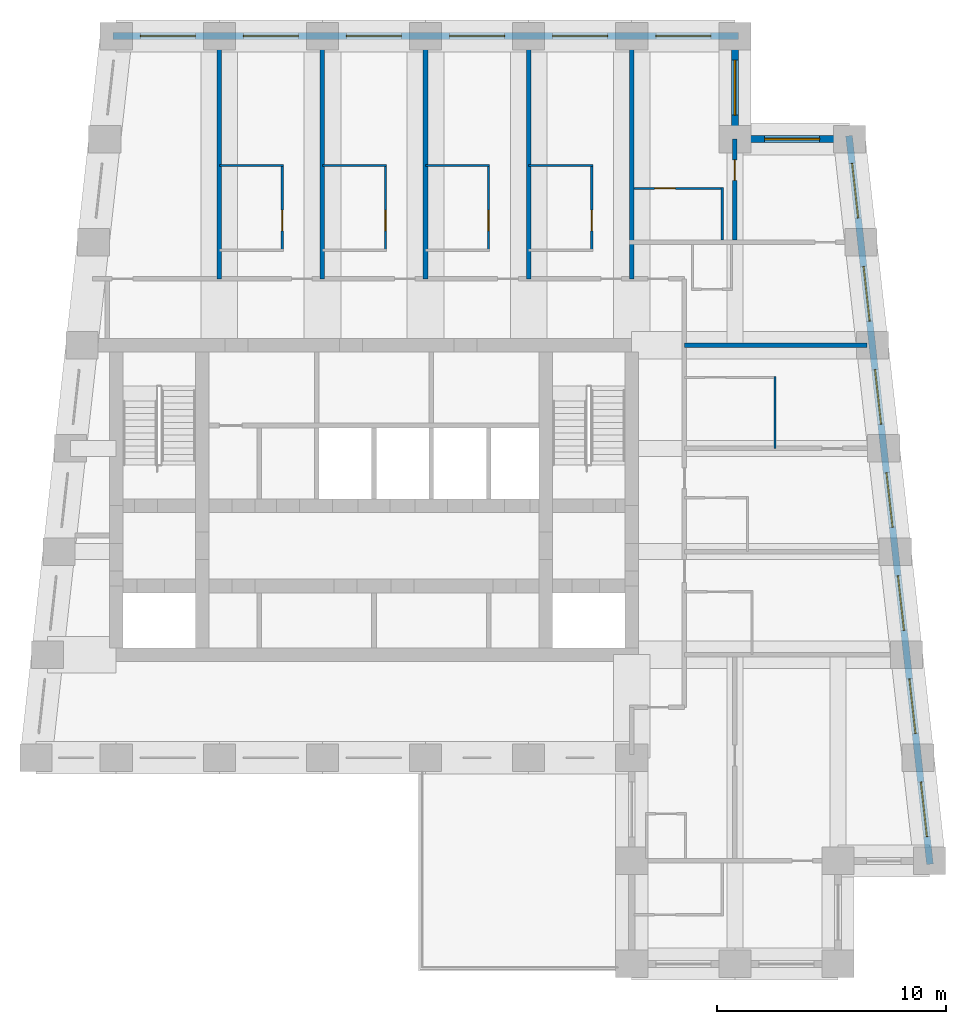
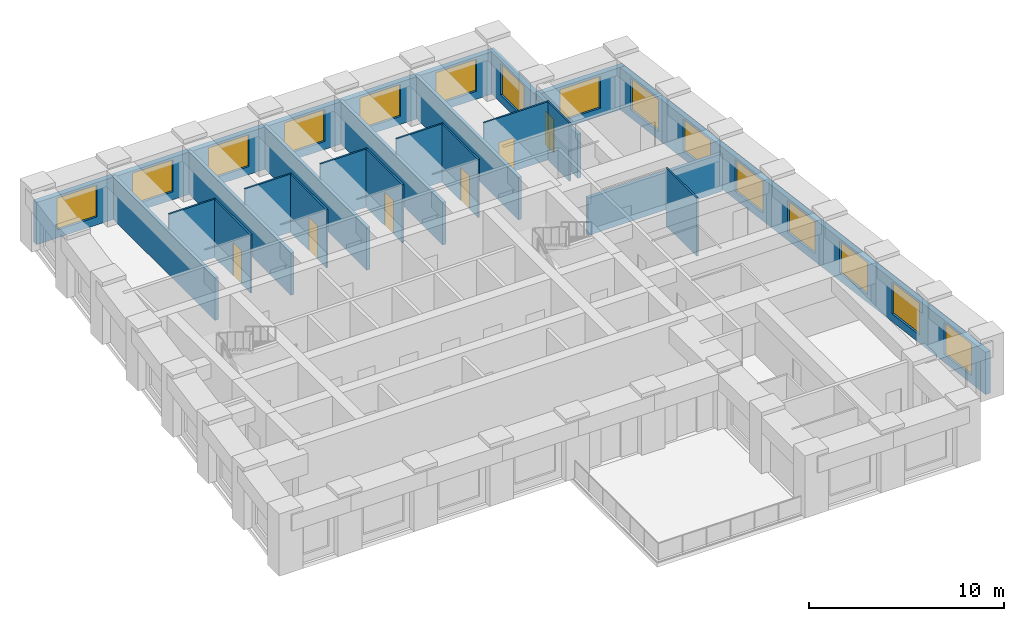
# One storey, part 5 of 7: 22 walls, 15 windows, 6 doors, 21 openings.
"""IFC4 building model written with IfcOpenShell, lengths in metres."""

from ifc_helpers import new_model, si_unit, direction, frame, frame_2d, origin, place, context, subcontext, project, spatial, rectangle, extrude, material, layer, layer_set, type_object, element, fill, save


model = new_model("IFC4")

# Units and contexts
model_context = context("Model", 3, precision=1e-05, world=origin(), true_north=direction((0.0, 1.0)))
body_context = subcontext(model_context, "Body", "Model", "MODEL_VIEW")
ifc_project = project(units=[si_unit("LENGTHUNIT", "METRE"), si_unit("AREAUNIT", "SQUARE_METRE"), si_unit("VOLUMEUNIT", "CUBIC_METRE"), si_unit("PLANEANGLEUNIT", "RADIAN"), si_unit("MASSUNIT", "GRAM", prefix="KILO")], contexts=[model_context])

# Site, building, storey
site_placement = place(None, origin())
site = spatial("IfcSite", under=ifc_project, at=site_placement, CompositionType="ELEMENT")
building_placement = place(site_placement, origin())
building = spatial("IfcBuilding", under=site, at=building_placement, Name="Kilele Tower Hotel", CompositionType="ELEMENT")
storey_placement = place(building_placement, frame((0.0, 0.0, 250.699951171875)))
storey = spatial("IfcBuildingStorey", under=building, at=storey_placement, Name="L64", CompositionType="ELEMENT", Elevation=250.699951171875)

# Walls
ifc_material_1 = material(Name="Moisture-resistant board")
ifc_layer_1 = layer(ifc_material_1, 0.10009765625)
ifc_layer_set_1 = layer_set([ifc_layer_1], Name="Moisture-resistant board")
wall_type_1 = type_object("IfcWallType", Name="Bathroom partition 100", PredefinedType="PLUMBINGWALL", material=ifc_layer_set_1)
wall_1_placement = place(storey_placement, frame((42.25, 22.5, 0.0), z_axis=(0.0, 0.0, 1.0), x_axis=(0.0, 1.0, 0.0)))
element("IfcWall", 1, at=wall_1_placement, inside=storey, type_object=wall_type_1, Name="Bathroom partition 100 L64", PredefinedType="PLUMBINGWALL", context=body_context, shape_type="SweptSolid", body=[
    extrude(rectangle(XDim=3.14990234375, YDim=0.10009765625, at=frame_2d((1.574951171875, 0.0))), origin(), (0.0, 0.0, 1.0), 3.650146484375),
])
wall_2_placement = place(storey_placement, frame((18.0, 34.85009765625, 0.0), z_axis=(0.0, 0.0, 1.0), x_axis=(1.0, 0.0, 0.0)))
element("IfcWall", 2, at=wall_2_placement, inside=storey, type_object=wall_type_1, Name="Bathroom partition 100 L64", PredefinedType="PLUMBINGWALL", context=body_context, shape_type="SweptSolid", body=[
    extrude(rectangle(XDim=2.800048828125, YDim=0.10009765625, at=frame_2d((1.39990234375, 0.0))), origin(), (0.0, 0.0, 1.0), 3.650146484375),
])

# Wall, opening, door
wall_3_placement = place(storey_placement, frame((20.75, 31.10009765625, 0.0), z_axis=(0.0, 0.0, 1.0), x_axis=(0.0, 1.0, 0.0)))
wall_3 = element("IfcWall", 3, at=wall_3_placement, inside=storey, type_object=wall_type_1, Name="Bathroom partition 100 L64", PredefinedType="PLUMBINGWALL", context=body_context, shape_type="SweptSolid", body=[
    extrude(rectangle(XDim=3.7998046875, YDim=0.10009765625, at=frame_2d((1.89990234375, 0.0))), origin(), (0.0, 0.0, 1.0), 3.650146484375),
])
opening_1_placement = place(wall_3_placement, frame((1.7998046875, 0.0, 0.0), z_axis=(0.0, 0.0, 1.0), x_axis=(-1.0, 0.0, 0.0)))
opening_1 = element("IfcOpeningElement", 4, at=opening_1_placement, cuts=wall_3, Name="Opening D2A", PredefinedType="OPENING", context=body_context, shape_type="SweptSolid", body=[
    extrude(rectangle(XDim=0.89990234375, YDim=2.10009765625, at=frame_2d((0.449951171875, 1.050048828125))), frame((0.0, 0.06005859375, 0.0), z_axis=(0.0, -1.0, 0.0), x_axis=(1.0, 0.0, 0.0)), (0.0, 0.0, 1.0), 0.1201171875),
])
ifc_material_2 = material(Name="Timber door leaf in hardwood frame", Category="wood")
door_type_1 = type_object("IfcDoorType", Name="Bathroom door 900", OperationType="SINGLE_SWING_LEFT", PredefinedType="DOOR", material=ifc_material_2)
door_1_placement = place(opening_1_placement, origin())
door_1 = element("IfcDoor", 5, at=door_1_placement, inside=storey, type_object=door_type_1, Name="Bathroom door 6406B", OperationType="SINGLE_SWING_RIGHT", OverallHeight=2.10009765625, OverallWidth=0.89990234375, PredefinedType="DOOR", context=body_context, shape_type="SweptSolid", body=[
    extrude(rectangle(XDim=0.89990234375, YDim=2.10009765625, at=frame_2d((0.449951171875, 1.050048828125))), frame((0.0, 0.02490234375, 0.0), z_axis=(0.0, -1.0, 0.0), x_axis=(1.0, 0.0, 0.0)), (0.0, 0.0, 1.0), 0.050048828125),
])
fill(opening_1, door_1)

# Wall
wall_4_placement = place(storey_placement, frame((22.5, 34.85009765625, 0.0), z_axis=(0.0, 0.0, 1.0), x_axis=(1.0, 0.0, 0.0)))
element("IfcWall", 6, at=wall_4_placement, inside=storey, type_object=wall_type_1, Name="Bathroom partition 100 L64", PredefinedType="PLUMBINGWALL", context=body_context, shape_type="SweptSolid", body=[
    extrude(rectangle(XDim=2.800048828125, YDim=0.10009765625, at=frame_2d((1.39990234375, 0.0))), origin(), (0.0, 0.0, 1.0), 3.650146484375),
])

# Wall, opening, door
wall_5_placement = place(storey_placement, frame((25.25, 31.10009765625, 0.0), z_axis=(0.0, 0.0, 1.0), x_axis=(0.0, 1.0, 0.0)))
wall_5 = element("IfcWall", 7, at=wall_5_placement, inside=storey, type_object=wall_type_1, Name="Bathroom partition 100 L64", PredefinedType="PLUMBINGWALL", context=body_context, shape_type="SweptSolid", body=[
    extrude(rectangle(XDim=3.7998046875, YDim=0.10009765625, at=frame_2d((1.89990234375, 0.0))), origin(), (0.0, 0.0, 1.0), 3.650146484375),
])
opening_2_placement = place(wall_5_placement, frame((1.7998046875, 0.0, 0.0), z_axis=(0.0, 0.0, 1.0), x_axis=(-1.0, 0.0, 0.0)))
opening_2 = element("IfcOpeningElement", 8, at=opening_2_placement, cuts=wall_5, Name="Opening D2A", PredefinedType="OPENING", context=body_context, shape_type="SweptSolid", body=[
    extrude(rectangle(XDim=0.89990234375, YDim=2.10009765625, at=frame_2d((0.449951171875, 1.050048828125))), frame((0.0, 0.06005859375, 0.0), z_axis=(0.0, -1.0, 0.0), x_axis=(1.0, 0.0, 0.0)), (0.0, 0.0, 1.0), 0.1201171875),
])
door_2_placement = place(opening_2_placement, origin())
door_2 = element("IfcDoor", 9, at=door_2_placement, inside=storey, type_object=door_type_1, Name="Bathroom door 6407B", OperationType="SINGLE_SWING_RIGHT", OverallHeight=2.10009765625, OverallWidth=0.89990234375, PredefinedType="DOOR", context=body_context, shape_type="SweptSolid", body=[
    extrude(rectangle(XDim=0.89990234375, YDim=2.10009765625, at=frame_2d((0.449951171875, 1.050048828125))), frame((0.0, 0.02490234375, 0.0), z_axis=(0.0, -1.0, 0.0), x_axis=(1.0, 0.0, 0.0)), (0.0, 0.0, 1.0), 0.050048828125),
])
fill(opening_2, door_2)

# Wall
wall_6_placement = place(storey_placement, frame((27.0, 34.85009765625, 0.0), z_axis=(0.0, 0.0, 1.0), x_axis=(1.0, 0.0, 0.0)))
element("IfcWall", 10, at=wall_6_placement, inside=storey, type_object=wall_type_1, Name="Bathroom partition 100 L64", PredefinedType="PLUMBINGWALL", context=body_context, shape_type="SweptSolid", body=[
    extrude(rectangle(XDim=2.800048828125, YDim=0.10009765625, at=frame_2d((1.39990234375, 0.0))), origin(), (0.0, 0.0, 1.0), 3.650146484375),
])

# Wall, opening, door
wall_7_placement = place(storey_placement, frame((29.75, 31.10009765625, 0.0), z_axis=(0.0, 0.0, 1.0), x_axis=(0.0, 1.0, 0.0)))
wall_7 = element("IfcWall", 11, at=wall_7_placement, inside=storey, type_object=wall_type_1, Name="Bathroom partition 100 L64", PredefinedType="PLUMBINGWALL", context=body_context, shape_type="SweptSolid", body=[
    extrude(rectangle(XDim=3.7998046875, YDim=0.10009765625, at=frame_2d((1.89990234375, 0.0))), origin(), (0.0, 0.0, 1.0), 3.650146484375),
])
opening_3_placement = place(wall_7_placement, frame((1.7998046875, 0.0, 0.0), z_axis=(0.0, 0.0, 1.0), x_axis=(-1.0, 0.0, 0.0)))
opening_3 = element("IfcOpeningElement", 12, at=opening_3_placement, cuts=wall_7, Name="Opening D2A", PredefinedType="OPENING", context=body_context, shape_type="SweptSolid", body=[
    extrude(rectangle(XDim=0.89990234375, YDim=2.10009765625, at=frame_2d((0.449951171875, 1.050048828125))), frame((0.0, 0.06005859375, 0.0), z_axis=(0.0, -1.0, 0.0), x_axis=(1.0, 0.0, 0.0)), (0.0, 0.0, 1.0), 0.1201171875),
])
door_3_placement = place(opening_3_placement, origin())
door_3 = element("IfcDoor", 13, at=door_3_placement, inside=storey, type_object=door_type_1, Name="Bathroom door 6408B", OperationType="SINGLE_SWING_RIGHT", OverallHeight=2.10009765625, OverallWidth=0.89990234375, PredefinedType="DOOR", context=body_context, shape_type="SweptSolid", body=[
    extrude(rectangle(XDim=0.89990234375, YDim=2.10009765625, at=frame_2d((0.449951171875, 1.050048828125))), frame((0.0, 0.02490234375, 0.0), z_axis=(0.0, -1.0, 0.0), x_axis=(1.0, 0.0, 0.0)), (0.0, 0.0, 1.0), 0.050048828125),
])
fill(opening_3, door_3)

# Wall
wall_8_placement = place(storey_placement, frame((31.5, 34.85009765625, 0.0), z_axis=(0.0, 0.0, 1.0), x_axis=(1.0, 0.0, 0.0)))
element("IfcWall", 14, at=wall_8_placement, inside=storey, type_object=wall_type_1, Name="Bathroom partition 100 L64", PredefinedType="PLUMBINGWALL", context=body_context, shape_type="SweptSolid", body=[
    extrude(rectangle(XDim=2.800048828125, YDim=0.10009765625, at=frame_2d((1.39990234375, 0.0))), origin(), (0.0, 0.0, 1.0), 3.650146484375),
])

# Wall, opening, door
wall_9_placement = place(storey_placement, frame((34.25, 31.10009765625, 0.0), z_axis=(0.0, 0.0, 1.0), x_axis=(0.0, 1.0, 0.0)))
wall_9 = element("IfcWall", 15, at=wall_9_placement, inside=storey, type_object=wall_type_1, Name="Bathroom partition 100 L64", PredefinedType="PLUMBINGWALL", context=body_context, shape_type="SweptSolid", body=[
    extrude(rectangle(XDim=3.7998046875, YDim=0.10009765625, at=frame_2d((1.89990234375, 0.0))), origin(), (0.0, 0.0, 1.0), 3.650146484375),
])
opening_4_placement = place(wall_9_placement, frame((1.7998046875, 0.0, 0.0), z_axis=(0.0, 0.0, 1.0), x_axis=(-1.0, 0.0, 0.0)))
opening_4 = element("IfcOpeningElement", 16, at=opening_4_placement, cuts=wall_9, Name="Opening D2A", PredefinedType="OPENING", context=body_context, shape_type="SweptSolid", body=[
    extrude(rectangle(XDim=0.89990234375, YDim=2.10009765625, at=frame_2d((0.449951171875, 1.050048828125))), frame((0.0, 0.06005859375, 0.0), z_axis=(0.0, -1.0, 0.0), x_axis=(1.0, 0.0, 0.0)), (0.0, 0.0, 1.0), 0.1201171875),
])
door_4_placement = place(opening_4_placement, origin())
door_4 = element("IfcDoor", 17, at=door_4_placement, inside=storey, type_object=door_type_1, Name="Bathroom door 6409B", OperationType="SINGLE_SWING_RIGHT", OverallHeight=2.10009765625, OverallWidth=0.89990234375, PredefinedType="DOOR", context=body_context, shape_type="SweptSolid", body=[
    extrude(rectangle(XDim=0.89990234375, YDim=2.10009765625, at=frame_2d((0.449951171875, 1.050048828125))), frame((0.0, 0.02490234375, 0.0), z_axis=(0.0, -1.0, 0.0), x_axis=(1.0, 0.0, 0.0)), (0.0, 0.0, 1.0), 0.050048828125),
])
fill(opening_4, door_4)

# Wall
wall_10_placement = place(storey_placement, frame((39.949951171875, 31.60009765625, 0.0), z_axis=(0.0, 0.0, 1.0), x_axis=(0.0, 1.0, 0.0)))
element("IfcWall", 18, at=wall_10_placement, inside=storey, type_object=wall_type_1, Name="Bathroom partition 100 L64", PredefinedType="PLUMBINGWALL", context=body_context, shape_type="SweptSolid", body=[
    extrude(rectangle(XDim=2.2998046875, YDim=0.10009765625, at=frame_2d((1.14990234375, 0.0))), origin(), (0.0, 0.0, 1.0), 3.650146484375),
])

# Wall, opening, door
wall_11_placement = place(storey_placement, frame((36.10009765625, 33.85009765625, 0.0), z_axis=(0.0, 0.0, 1.0), x_axis=(1.0, 0.0, 0.0)))
wall_11 = element("IfcWall", 19, at=wall_11_placement, inside=storey, type_object=wall_type_1, Name="Bathroom partition 100 L64", PredefinedType="PLUMBINGWALL", context=body_context, shape_type="SweptSolid", body=[
    extrude(rectangle(XDim=3.89990234375, YDim=0.10009765625, at=frame_2d((1.949951171875, 0.0))), origin(), (0.0, 0.0, 1.0), 3.650146484375),
])
opening_5_placement = place(wall_11_placement, frame((0.89990234375, 0.0, 0.0)))
opening_5 = element("IfcOpeningElement", 20, at=opening_5_placement, cuts=wall_11, Name="Opening D2A", PredefinedType="OPENING", context=body_context, shape_type="SweptSolid", body=[
    extrude(rectangle(XDim=0.89990234375, YDim=2.10009765625, at=frame_2d((0.449951171875, 1.050048828125))), frame((0.0, 0.06005859375, 0.0), z_axis=(0.0, -1.0, 0.0), x_axis=(1.0, 0.0, 0.0)), (0.0, 0.0, 1.0), 0.1201171875),
])
door_5_placement = place(opening_5_placement, origin())
door_5 = element("IfcDoor", 21, at=door_5_placement, inside=storey, type_object=door_type_1, Name="Bathroom door 6414B", OperationType="SINGLE_SWING_LEFT", OverallHeight=2.10009765625, OverallWidth=0.89990234375, PredefinedType="DOOR", context=body_context, shape_type="SweptSolid", body=[
    extrude(rectangle(XDim=0.89990234375, YDim=2.10009765625, at=frame_2d((0.449951171875, 1.050048828125))), frame((0.0, 0.02490234375, 0.0), z_axis=(0.0, -1.0, 0.0), x_axis=(1.0, 0.0, 0.0)), (0.0, 0.0, 1.0), 0.050048828125),
])
fill(opening_5, door_5)

ifc_material_3 = material(Name="Blockwork, plastered both sides", Category="masonry")
ifc_layer_2 = layer(ifc_material_3, 0.199951171875)
ifc_layer_set_2 = layer_set([ifc_layer_2], Name="Blockwork, plastered both sides")
wall_type_2 = type_object("IfcWallType", Name="Partition wall 200", PredefinedType="PARTITIONING", material=ifc_layer_set_2)
wall_12_placement = place(storey_placement, frame((40.5, 31.60009765625, 0.0), z_axis=(0.0, 0.0, 1.0), x_axis=(0.0, 1.0, 0.0)))
wall_12 = element("IfcWall", 22, at=wall_12_placement, inside=storey, type_object=wall_type_2, Name="Partition wall 200 L64", PredefinedType="PARTITIONING", context=body_context, shape_type="SweptSolid", body=[
    extrude(rectangle(XDim=4.39990234375, YDim=0.199951171875, at=frame_2d((2.199951171875, 0.0))), origin(), (0.0, 0.0, 1.0), 2.75),
])
opening_6_placement = place(wall_12_placement, frame((2.60009765625, 0.0, 0.0)))
opening_6 = element("IfcOpeningElement", 23, at=opening_6_placement, cuts=wall_12, Name="Opening D3", PredefinedType="OPENING", context=body_context, shape_type="SweptSolid", body=[
    extrude(rectangle(XDim=0.89990234375, YDim=2.10009765625, at=frame_2d((0.449951171875, 1.050048828125))), frame((0.0, 0.10986328125, 0.0), z_axis=(0.0, -1.0, 0.0), x_axis=(1.0, 0.0, 0.0)), (0.0, 0.0, 1.0), 0.219970703125),
])
ifc_material_4 = material(Name="Timber door leaf in hardwood frame", Category="wood")
door_type_2 = type_object("IfcDoorType", Name="Suite internal door 900", OperationType="SINGLE_SWING_LEFT", PredefinedType="DOOR", material=ifc_material_4)
door_6_placement = place(opening_6_placement, origin())
door_6 = element("IfcDoor", 24, at=door_6_placement, inside=storey, type_object=door_type_2, Name="Suite door 6415", OperationType="SINGLE_SWING_LEFT", OverallHeight=2.10009765625, OverallWidth=0.89990234375, PredefinedType="DOOR", context=body_context, shape_type="SweptSolid", body=[
    extrude(rectangle(XDim=0.89990234375, YDim=2.10009765625, at=frame_2d((0.449951171875, 1.050048828125))), frame((0.0, 0.02490234375, 0.0), z_axis=(0.0, -1.0, 0.0), x_axis=(1.0, 0.0, 0.0)), (0.0, 0.0, 1.0), 0.050048828125),
])
fill(opening_6, door_6)

# Walls
ifc_material_5 = material(Name="Blockwork, plastered both sides", Category="masonry")
ifc_layer_3 = layer(ifc_material_5, 0.199951171875)
ifc_layer_set_3 = layer_set([ifc_layer_3], Name="Blockwork, plastered both sides")
wall_type_3 = type_object("IfcWallType", Name="Party wall 200", PredefinedType="PARTITIONING", material=ifc_layer_set_3)
for number, where, z_axis, x_axis, name in (
    (25, (18.0, 29.89990234375, 0.0), (0.0, 0.0, 1.0), (0.0, 1.0, 0.0), "Party wall 200 L64"),
    (26, (22.5, 29.89990234375, 0.0), (0.0, 0.0, 1.0), (0.0, 1.0, 0.0), "Party wall 200 L64"),
    (27, (27.0, 29.89990234375, 0.0), (0.0, 0.0, 1.0), (0.0, 1.0, 0.0), "Party wall 200 L64"),
    (28, (31.5, 29.89990234375, 0.0), (0.0, 0.0, 1.0), (0.0, 1.0, 0.0), "Party wall 200 L64"),
):
    element("IfcWall", number, at=place(storey_placement, frame(where, z_axis=z_axis, x_axis=x_axis)), inside=storey, type_object=wall_type_3, Name=name, PredefinedType="PARTITIONING", context=body_context, shape_type="SweptSolid", body=[
        extrude(rectangle(XDim=10.60009765625, YDim=0.199951171875, at=frame_2d((5.300048828125, 0.0))), origin(), (0.0, 0.0, 1.0), 2.650146484375),
    ])
wall_13_placement = place(storey_placement, frame((38.300048828125, 27.0, 0.0), z_axis=(0.0, 0.0, 1.0), x_axis=(1.0, 0.0, 0.0)))
element("IfcWall", 29, at=wall_13_placement, inside=storey, type_object=wall_type_3, Name="Party wall 200 L64", PredefinedType="PARTITIONING", context=body_context, shape_type="SweptSolid", body=[
    extrude(rectangle(XDim=7.976806640625, YDim=0.199951171875, at=frame_2d((3.98828125, 0.0))), origin(), (0.0, 0.0, 1.0), 2.35009765625),
])
wall_14_placement = place(storey_placement, frame((36.0, 29.89990234375, 0.0), z_axis=(0.0, 0.0, 1.0), x_axis=(0.0, 1.0, 0.0)))
element("IfcWall", 30, at=wall_14_placement, inside=storey, type_object=wall_type_3, Name="Party wall 200 L64", PredefinedType="PARTITIONING", context=body_context, shape_type="SweptSolid", body=[
    extrude(rectangle(XDim=10.60009765625, YDim=0.199951171875, at=frame_2d((5.300048828125, 0.0))), origin(), (0.0, 0.0, 1.0), 2.650146484375),
])

# Wall, openings, windows
ifc_material_6 = material(Name="Concrete C40/50 precast", Category="concrete")
ifc_layer_4 = layer(ifc_material_6, 0.260009765625, Name="Precast backing", Category="LoadBearing")
ifc_material_7 = material(Name="Reconstituted stone finish", Category="masonry")
ifc_layer_5 = layer(ifc_material_7, 0.0400390625, Name="Face mix", Category="Finish")
ifc_layer_set_4 = layer_set([ifc_layer_4, ifc_layer_5], Name="Precast concrete C40/50, reconstituted stone finish")
wall_type_4 = type_object("IfcWallType", Name="Precast stone facade wall 300", PredefinedType="STANDARD", material=ifc_layer_set_4)
wall_15_placement = place(storey_placement, frame((49.0166015625, 4.350830078125, 0.0), z_axis=(0.0, 0.0, 1.0), x_axis=(-0.110433201132, 0.993883548555, 0.0)))
wall_15 = element("IfcWall", 31, at=wall_15_placement, inside=storey, type_object=wall_type_4, Name="Facade wall L64 edge 6", PredefinedType="STANDARD", context=body_context, shape_type="SweptSolid", body=[
    extrude(rectangle(XDim=31.994140625, YDim=0.300048828125, at=frame_2d((15.9970703125, 0.0))), origin(), (0.0, 0.0, 1.0), 2.650146484375),
])
opening_7_placement = place(wall_15_placement, frame((1.214111328125, 0.0, 0.5)))
opening_7 = element("IfcOpeningElement", 32, at=opening_7_placement, cuts=wall_15, Name="Opening W4", PredefinedType="OPENING", context=body_context, shape_type="SweptSolid", body=[
    extrude(rectangle(XDim=2.39990234375, YDim=2.0, at=frame_2d((1.199951171875, 1.0))), frame((0.0, 0.159912109375, 0.0), z_axis=(0.0, -1.0, 0.0), x_axis=(1.0, 0.0, 0.0)), (0.0, 0.0, 1.0), 0.320068359375),
])
opening_8_placement = place(wall_15_placement, frame((5.741943359375, 0.0, 0.5)))
opening_8 = element("IfcOpeningElement", 33, at=opening_8_placement, cuts=wall_15, Name="Opening W4", PredefinedType="OPENING", context=body_context, shape_type="SweptSolid", body=[
    extrude(rectangle(XDim=2.39990234375, YDim=2.0, at=frame_2d((1.199951171875, 1.0))), frame((0.0, 0.159912109375, 0.0), z_axis=(0.0, -1.0, 0.0), x_axis=(1.0, 0.0, 0.0)), (0.0, 0.0, 1.0), 0.320068359375),
])
opening_9_placement = place(wall_15_placement, frame((10.26904296875, 0.0, 0.5)))
opening_9 = element("IfcOpeningElement", 34, at=opening_9_placement, cuts=wall_15, Name="Opening W4", PredefinedType="OPENING", context=body_context, shape_type="SweptSolid", body=[
    extrude(rectangle(XDim=2.39990234375, YDim=2.0, at=frame_2d((1.199951171875, 1.0))), frame((0.0, 0.159912109375, 0.0), z_axis=(0.0, -1.0, 0.0), x_axis=(1.0, 0.0, 0.0)), (0.0, 0.0, 1.0), 0.320068359375),
])
opening_10_placement = place(wall_15_placement, frame((14.797119140625, 0.0, 0.5)))
opening_10 = element("IfcOpeningElement", 35, at=opening_10_placement, cuts=wall_15, Name="Opening W4", PredefinedType="OPENING", context=body_context, shape_type="SweptSolid", body=[
    extrude(rectangle(XDim=2.39990234375, YDim=2.0, at=frame_2d((1.199951171875, 1.0))), frame((0.0, 0.159912109375, 0.0), z_axis=(0.0, -1.0, 0.0), x_axis=(1.0, 0.0, 0.0)), (0.0, 0.0, 1.0), 0.320068359375),
])
opening_11_placement = place(wall_15_placement, frame((19.324951171875, 0.0, 0.5)))
opening_11 = element("IfcOpeningElement", 36, at=opening_11_placement, cuts=wall_15, Name="Opening W4", PredefinedType="OPENING", context=body_context, shape_type="SweptSolid", body=[
    extrude(rectangle(XDim=2.39990234375, YDim=2.0, at=frame_2d((1.199951171875, 1.0))), frame((0.0, 0.159912109375, 0.0), z_axis=(0.0, -1.0, 0.0), x_axis=(1.0, 0.0, 0.0)), (0.0, 0.0, 1.0), 0.320068359375),
])
opening_12_placement = place(wall_15_placement, frame((23.85205078125, 0.0, 0.5)))
opening_12 = element("IfcOpeningElement", 37, at=opening_12_placement, cuts=wall_15, Name="Opening W4", PredefinedType="OPENING", context=body_context, shape_type="SweptSolid", body=[
    extrude(rectangle(XDim=2.39990234375, YDim=2.0, at=frame_2d((1.199951171875, 1.0))), frame((0.0, 0.159912109375, 0.0), z_axis=(0.0, -1.0, 0.0), x_axis=(1.0, 0.0, 0.0)), (0.0, 0.0, 1.0), 0.320068359375),
])
opening_13_placement = place(wall_15_placement, frame((28.3798828125, 0.0, 0.5)))
opening_13 = element("IfcOpeningElement", 38, at=opening_13_placement, cuts=wall_15, Name="Opening W4", PredefinedType="OPENING", context=body_context, shape_type="SweptSolid", body=[
    extrude(rectangle(XDim=2.39990234375, YDim=2.0, at=frame_2d((1.199951171875, 1.0))), frame((0.0, 0.159912109375, 0.0), z_axis=(0.0, -1.0, 0.0), x_axis=(1.0, 0.0, 0.0)), (0.0, 0.0, 1.0), 0.320068359375),
])
ifc_material_8 = material(Name="Aluminium frame, clear double glazing", Category="aluminium")
window_type = type_object("IfcWindowType", Name="Window W4 2400 x 2000", PartitioningType="SINGLE_PANEL", PredefinedType="WINDOW", material=ifc_material_8)
window_1_placement = place(opening_7_placement, origin())
window_1 = element("IfcWindow", 39, at=window_1_placement, inside=storey, type_object=window_type, Name="Window L64", OverallHeight=2.0, OverallWidth=2.39990234375, PartitioningType="SINGLE_PANEL", PredefinedType="WINDOW", context=body_context, shape_type="SweptSolid", body=[
    extrude(rectangle(XDim=2.39990234375, YDim=2.0, at=frame_2d((1.199951171875, 1.0))), frame((0.0, 0.030029296875, 0.0), z_axis=(0.0, -1.0, 0.0), x_axis=(1.0, 0.0, 0.0)), (0.0, 0.0, 1.0), 0.06005859375),
])
fill(opening_7, window_1)
window_2_placement = place(opening_8_placement, origin())
window_2 = element("IfcWindow", 40, at=window_2_placement, inside=storey, type_object=window_type, Name="Window L64", OverallHeight=2.0, OverallWidth=2.39990234375, PartitioningType="SINGLE_PANEL", PredefinedType="WINDOW", context=body_context, shape_type="SweptSolid", body=[
    extrude(rectangle(XDim=2.39990234375, YDim=2.0, at=frame_2d((1.199951171875, 1.0))), frame((0.0, 0.030029296875, 0.0), z_axis=(0.0, -1.0, 0.0), x_axis=(1.0, 0.0, 0.0)), (0.0, 0.0, 1.0), 0.06005859375),
])
fill(opening_8, window_2)
window_3_placement = place(opening_9_placement, origin())
window_3 = element("IfcWindow", 41, at=window_3_placement, inside=storey, type_object=window_type, Name="Window L64", OverallHeight=2.0, OverallWidth=2.39990234375, PartitioningType="SINGLE_PANEL", PredefinedType="WINDOW", context=body_context, shape_type="SweptSolid", body=[
    extrude(rectangle(XDim=2.39990234375, YDim=2.0, at=frame_2d((1.199951171875, 1.0))), frame((0.0, 0.030029296875, 0.0), z_axis=(0.0, -1.0, 0.0), x_axis=(1.0, 0.0, 0.0)), (0.0, 0.0, 1.0), 0.06005859375),
])
fill(opening_9, window_3)
window_4_placement = place(opening_10_placement, origin())
window_4 = element("IfcWindow", 42, at=window_4_placement, inside=storey, type_object=window_type, Name="Window L64", OverallHeight=2.0, OverallWidth=2.39990234375, PartitioningType="SINGLE_PANEL", PredefinedType="WINDOW", context=body_context, shape_type="SweptSolid", body=[
    extrude(rectangle(XDim=2.39990234375, YDim=2.0, at=frame_2d((1.199951171875, 1.0))), frame((0.0, 0.030029296875, 0.0), z_axis=(0.0, -1.0, 0.0), x_axis=(1.0, 0.0, 0.0)), (0.0, 0.0, 1.0), 0.06005859375),
])
fill(opening_10, window_4)
window_5_placement = place(opening_11_placement, origin())
window_5 = element("IfcWindow", 43, at=window_5_placement, inside=storey, type_object=window_type, Name="Window L64", OverallHeight=2.0, OverallWidth=2.39990234375, PartitioningType="SINGLE_PANEL", PredefinedType="WINDOW", context=body_context, shape_type="SweptSolid", body=[
    extrude(rectangle(XDim=2.39990234375, YDim=2.0, at=frame_2d((1.199951171875, 1.0))), frame((0.0, 0.030029296875, 0.0), z_axis=(0.0, -1.0, 0.0), x_axis=(1.0, 0.0, 0.0)), (0.0, 0.0, 1.0), 0.06005859375),
])
fill(opening_11, window_5)
window_6_placement = place(opening_12_placement, origin())
window_6 = element("IfcWindow", 44, at=window_6_placement, inside=storey, type_object=window_type, Name="Window L64", OverallHeight=2.0, OverallWidth=2.39990234375, PartitioningType="SINGLE_PANEL", PredefinedType="WINDOW", context=body_context, shape_type="SweptSolid", body=[
    extrude(rectangle(XDim=2.39990234375, YDim=2.0, at=frame_2d((1.199951171875, 1.0))), frame((0.0, 0.030029296875, 0.0), z_axis=(0.0, -1.0, 0.0), x_axis=(1.0, 0.0, 0.0)), (0.0, 0.0, 1.0), 0.06005859375),
])
fill(opening_12, window_6)
window_7_placement = place(opening_13_placement, origin())
window_7 = element("IfcWindow", 45, at=window_7_placement, inside=storey, type_object=window_type, Name="Window L64", OverallHeight=2.0, OverallWidth=2.39990234375, PartitioningType="SINGLE_PANEL", PredefinedType="WINDOW", context=body_context, shape_type="SweptSolid", body=[
    extrude(rectangle(XDim=2.39990234375, YDim=2.0, at=frame_2d((1.199951171875, 1.0))), frame((0.0, 0.030029296875, 0.0), z_axis=(0.0, -1.0, 0.0), x_axis=(1.0, 0.0, 0.0)), (0.0, 0.0, 1.0), 0.06005859375),
])
fill(opening_13, window_7)

# Wall, opening, window
wall_16_placement = place(storey_placement, frame((45.64990234375, 36.0, 0.0), z_axis=(0.0, 0.0, 1.0), x_axis=(-1.0, 0.0, 0.0)))
wall_16 = element("IfcWall", 46, at=wall_16_placement, inside=storey, type_object=wall_type_4, Name="Facade wall L64 edge 7", PredefinedType="STANDARD", context=body_context, shape_type="SweptSolid", body=[
    extrude(rectangle(XDim=5.2998046875, YDim=0.300048828125, at=frame_2d((2.64990234375, 0.0))), origin(), (0.0, 0.0, 1.0), 2.650146484375),
])
opening_14_placement = place(wall_16_placement, frame((1.449951171875, 0.0, 0.5)))
opening_14 = element("IfcOpeningElement", 47, at=opening_14_placement, cuts=wall_16, Name="Opening W4", PredefinedType="OPENING", context=body_context, shape_type="SweptSolid", body=[
    extrude(rectangle(XDim=2.39990234375, YDim=2.0, at=frame_2d((1.199951171875, 1.0))), frame((0.0, 0.159912109375, 0.0), z_axis=(0.0, -1.0, 0.0), x_axis=(1.0, 0.0, 0.0)), (0.0, 0.0, 1.0), 0.320068359375),
])
window_8_placement = place(opening_14_placement, origin())
window_8 = element("IfcWindow", 48, at=window_8_placement, inside=storey, type_object=window_type, Name="Window L64", OverallHeight=2.0, OverallWidth=2.39990234375, PartitioningType="SINGLE_PANEL", PredefinedType="WINDOW", context=body_context, shape_type="SweptSolid", body=[
    extrude(rectangle(XDim=2.39990234375, YDim=2.0, at=frame_2d((1.199951171875, 1.0))), frame((0.0, 0.030029296875, 0.0), z_axis=(0.0, -1.0, 0.0), x_axis=(1.0, 0.0, 0.0)), (0.0, 0.0, 1.0), 0.06005859375),
])
fill(opening_14, window_8)

wall_17_placement = place(storey_placement, frame((40.5, 35.85009765625, 0.0), z_axis=(0.0, 0.0, 1.0), x_axis=(0.0, 1.0, 0.0)))
wall_17 = element("IfcWall", 49, at=wall_17_placement, inside=storey, type_object=wall_type_4, Name="Facade wall L64 edge 8", PredefinedType="STANDARD", context=body_context, shape_type="SweptSolid", body=[
    extrude(rectangle(XDim=4.7998046875, YDim=0.300048828125, at=frame_2d((2.39990234375, 0.0))), origin(), (0.0, 0.0, 1.0), 2.650146484375),
])
opening_15_placement = place(wall_17_placement, frame((1.199951171875, 0.0, 0.5)))
opening_15 = element("IfcOpeningElement", 50, at=opening_15_placement, cuts=wall_17, Name="Opening W4", PredefinedType="OPENING", context=body_context, shape_type="SweptSolid", body=[
    extrude(rectangle(XDim=2.39990234375, YDim=2.0, at=frame_2d((1.199951171875, 1.0))), frame((0.0, 0.159912109375, 0.0), z_axis=(0.0, -1.0, 0.0), x_axis=(1.0, 0.0, 0.0)), (0.0, 0.0, 1.0), 0.320068359375),
])
window_9_placement = place(opening_15_placement, origin())
window_9 = element("IfcWindow", 51, at=window_9_placement, inside=storey, type_object=window_type, Name="Window L64", OverallHeight=2.0, OverallWidth=2.39990234375, PartitioningType="SINGLE_PANEL", PredefinedType="WINDOW", context=body_context, shape_type="SweptSolid", body=[
    extrude(rectangle(XDim=2.39990234375, YDim=2.0, at=frame_2d((1.199951171875, 1.0))), frame((0.0, 0.030029296875, 0.0), z_axis=(0.0, -1.0, 0.0), x_axis=(1.0, 0.0, 0.0)), (0.0, 0.0, 1.0), 0.06005859375),
])
fill(opening_15, window_9)

# Wall, openings, windows
wall_18_placement = place(storey_placement, frame((40.64990234375, 40.5, 0.0), z_axis=(0.0, 0.0, 1.0), x_axis=(-1.0, 0.0, 0.0)))
wall_18 = element("IfcWall", 52, at=wall_18_placement, inside=storey, type_object=wall_type_4, Name="Facade wall L64 edge 9", PredefinedType="STANDARD", context=body_context, shape_type="SweptSolid", body=[
    extrude(rectangle(XDim=27.2998046875, YDim=0.300048828125, at=frame_2d((13.64990234375, 0.0))), origin(), (0.0, 0.0, 1.0), 2.650146484375),
])
opening_16_placement = place(wall_18_placement, frame((1.199951171875, 0.0, 0.5)))
opening_16 = element("IfcOpeningElement", 53, at=opening_16_placement, cuts=wall_18, Name="Opening W4", PredefinedType="OPENING", context=body_context, shape_type="SweptSolid", body=[
    extrude(rectangle(XDim=2.39990234375, YDim=2.0, at=frame_2d((1.199951171875, 1.0))), frame((0.0, 0.159912109375, 0.0), z_axis=(0.0, -1.0, 0.0), x_axis=(1.0, 0.0, 0.0)), (0.0, 0.0, 1.0), 0.320068359375),
])
opening_17_placement = place(wall_18_placement, frame((5.699951171875, 0.0, 0.5)))
opening_17 = element("IfcOpeningElement", 54, at=opening_17_placement, cuts=wall_18, Name="Opening W4", PredefinedType="OPENING", context=body_context, shape_type="SweptSolid", body=[
    extrude(rectangle(XDim=2.39990234375, YDim=2.0, at=frame_2d((1.199951171875, 1.0))), frame((0.0, 0.159912109375, 0.0), z_axis=(0.0, -1.0, 0.0), x_axis=(1.0, 0.0, 0.0)), (0.0, 0.0, 1.0), 0.320068359375),
])
opening_18_placement = place(wall_18_placement, frame((10.199951171875, 0.0, 0.5)))
opening_18 = element("IfcOpeningElement", 55, at=opening_18_placement, cuts=wall_18, Name="Opening W4", PredefinedType="OPENING", context=body_context, shape_type="SweptSolid", body=[
    extrude(rectangle(XDim=2.39990234375, YDim=2.0, at=frame_2d((1.199951171875, 1.0))), frame((0.0, 0.159912109375, 0.0), z_axis=(0.0, -1.0, 0.0), x_axis=(1.0, 0.0, 0.0)), (0.0, 0.0, 1.0), 0.320068359375),
])
opening_19_placement = place(wall_18_placement, frame((14.699951171875, 0.0, 0.5)))
opening_19 = element("IfcOpeningElement", 56, at=opening_19_placement, cuts=wall_18, Name="Opening W4", PredefinedType="OPENING", context=body_context, shape_type="SweptSolid", body=[
    extrude(rectangle(XDim=2.39990234375, YDim=2.0, at=frame_2d((1.199951171875, 1.0))), frame((0.0, 0.159912109375, 0.0), z_axis=(0.0, -1.0, 0.0), x_axis=(1.0, 0.0, 0.0)), (0.0, 0.0, 1.0), 0.320068359375),
])
opening_20_placement = place(wall_18_placement, frame((19.199951171875, 0.0, 0.5)))
opening_20 = element("IfcOpeningElement", 57, at=opening_20_placement, cuts=wall_18, Name="Opening W4", PredefinedType="OPENING", context=body_context, shape_type="SweptSolid", body=[
    extrude(rectangle(XDim=2.39990234375, YDim=2.0, at=frame_2d((1.199951171875, 1.0))), frame((0.0, 0.159912109375, 0.0), z_axis=(0.0, -1.0, 0.0), x_axis=(1.0, 0.0, 0.0)), (0.0, 0.0, 1.0), 0.320068359375),
])
opening_21_placement = place(wall_18_placement, frame((23.699951171875, 0.0, 0.5)))
opening_21 = element("IfcOpeningElement", 58, at=opening_21_placement, cuts=wall_18, Name="Opening W4", PredefinedType="OPENING", context=body_context, shape_type="SweptSolid", body=[
    extrude(rectangle(XDim=2.39990234375, YDim=2.0, at=frame_2d((1.199951171875, 1.0))), frame((0.0, 0.159912109375, 0.0), z_axis=(0.0, -1.0, 0.0), x_axis=(1.0, 0.0, 0.0)), (0.0, 0.0, 1.0), 0.320068359375),
])
window_10_placement = place(opening_16_placement, origin())
window_10 = element("IfcWindow", 59, at=window_10_placement, inside=storey, type_object=window_type, Name="Window L64", OverallHeight=2.0, OverallWidth=2.39990234375, PartitioningType="SINGLE_PANEL", PredefinedType="WINDOW", context=body_context, shape_type="SweptSolid", body=[
    extrude(rectangle(XDim=2.39990234375, YDim=2.0, at=frame_2d((1.199951171875, 1.0))), frame((0.0, 0.030029296875, 0.0), z_axis=(0.0, -1.0, 0.0), x_axis=(1.0, 0.0, 0.0)), (0.0, 0.0, 1.0), 0.06005859375),
])
fill(opening_16, window_10)
window_11_placement = place(opening_17_placement, origin())
window_11 = element("IfcWindow", 60, at=window_11_placement, inside=storey, type_object=window_type, Name="Window L64", OverallHeight=2.0, OverallWidth=2.39990234375, PartitioningType="SINGLE_PANEL", PredefinedType="WINDOW", context=body_context, shape_type="SweptSolid", body=[
    extrude(rectangle(XDim=2.39990234375, YDim=2.0, at=frame_2d((1.199951171875, 1.0))), frame((0.0, 0.030029296875, 0.0), z_axis=(0.0, -1.0, 0.0), x_axis=(1.0, 0.0, 0.0)), (0.0, 0.0, 1.0), 0.06005859375),
])
fill(opening_17, window_11)
window_12_placement = place(opening_18_placement, origin())
window_12 = element("IfcWindow", 61, at=window_12_placement, inside=storey, type_object=window_type, Name="Window L64", OverallHeight=2.0, OverallWidth=2.39990234375, PartitioningType="SINGLE_PANEL", PredefinedType="WINDOW", context=body_context, shape_type="SweptSolid", body=[
    extrude(rectangle(XDim=2.39990234375, YDim=2.0, at=frame_2d((1.199951171875, 1.0))), frame((0.0, 0.030029296875, 0.0), z_axis=(0.0, -1.0, 0.0), x_axis=(1.0, 0.0, 0.0)), (0.0, 0.0, 1.0), 0.06005859375),
])
fill(opening_18, window_12)
window_13_placement = place(opening_19_placement, origin())
window_13 = element("IfcWindow", 62, at=window_13_placement, inside=storey, type_object=window_type, Name="Window L64", OverallHeight=2.0, OverallWidth=2.39990234375, PartitioningType="SINGLE_PANEL", PredefinedType="WINDOW", context=body_context, shape_type="SweptSolid", body=[
    extrude(rectangle(XDim=2.39990234375, YDim=2.0, at=frame_2d((1.199951171875, 1.0))), frame((0.0, 0.030029296875, 0.0), z_axis=(0.0, -1.0, 0.0), x_axis=(1.0, 0.0, 0.0)), (0.0, 0.0, 1.0), 0.06005859375),
])
fill(opening_19, window_13)
window_14_placement = place(opening_20_placement, origin())
window_14 = element("IfcWindow", 63, at=window_14_placement, inside=storey, type_object=window_type, Name="Window L64", OverallHeight=2.0, OverallWidth=2.39990234375, PartitioningType="SINGLE_PANEL", PredefinedType="WINDOW", context=body_context, shape_type="SweptSolid", body=[
    extrude(rectangle(XDim=2.39990234375, YDim=2.0, at=frame_2d((1.199951171875, 1.0))), frame((0.0, 0.030029296875, 0.0), z_axis=(0.0, -1.0, 0.0), x_axis=(1.0, 0.0, 0.0)), (0.0, 0.0, 1.0), 0.06005859375),
])
fill(opening_20, window_14)
window_15_placement = place(opening_21_placement, origin())
window_15 = element("IfcWindow", 64, at=window_15_placement, inside=storey, type_object=window_type, Name="Window L64", OverallHeight=2.0, OverallWidth=2.39990234375, PartitioningType="SINGLE_PANEL", PredefinedType="WINDOW", context=body_context, shape_type="SweptSolid", body=[
    extrude(rectangle(XDim=2.39990234375, YDim=2.0, at=frame_2d((1.199951171875, 1.0))), frame((0.0, 0.030029296875, 0.0), z_axis=(0.0, -1.0, 0.0), x_axis=(1.0, 0.0, 0.0)), (0.0, 0.0, 1.0), 0.06005859375),
])
fill(opening_21, window_15)

save(model, "model.ifc")
